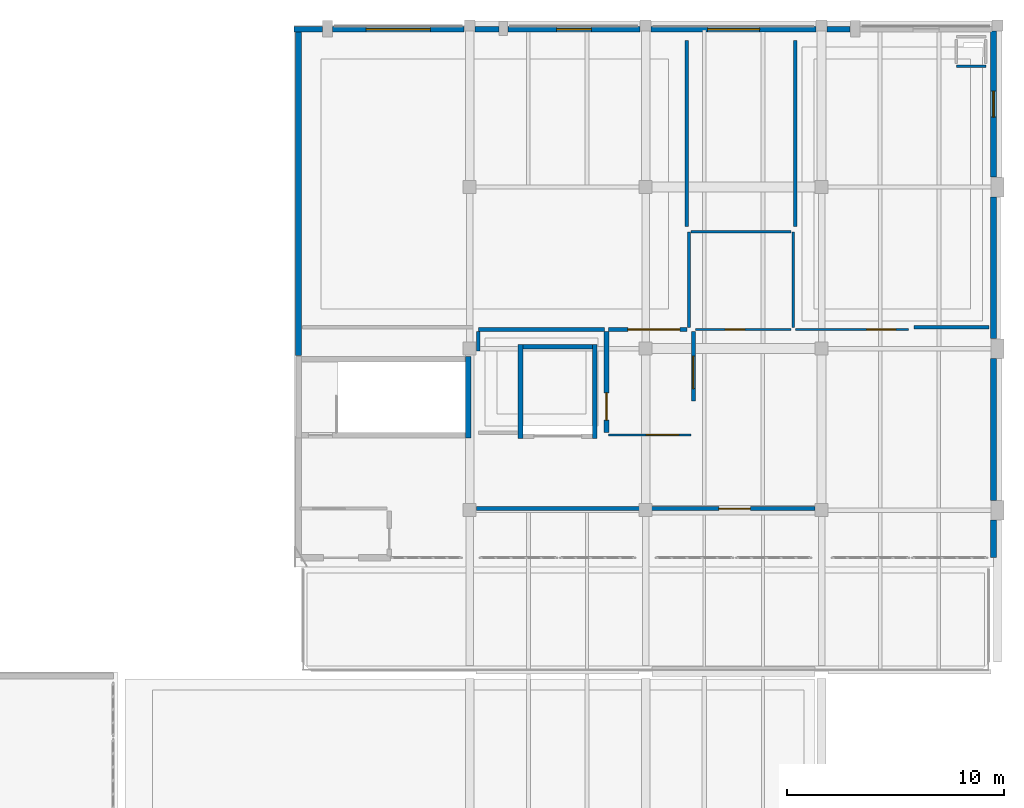
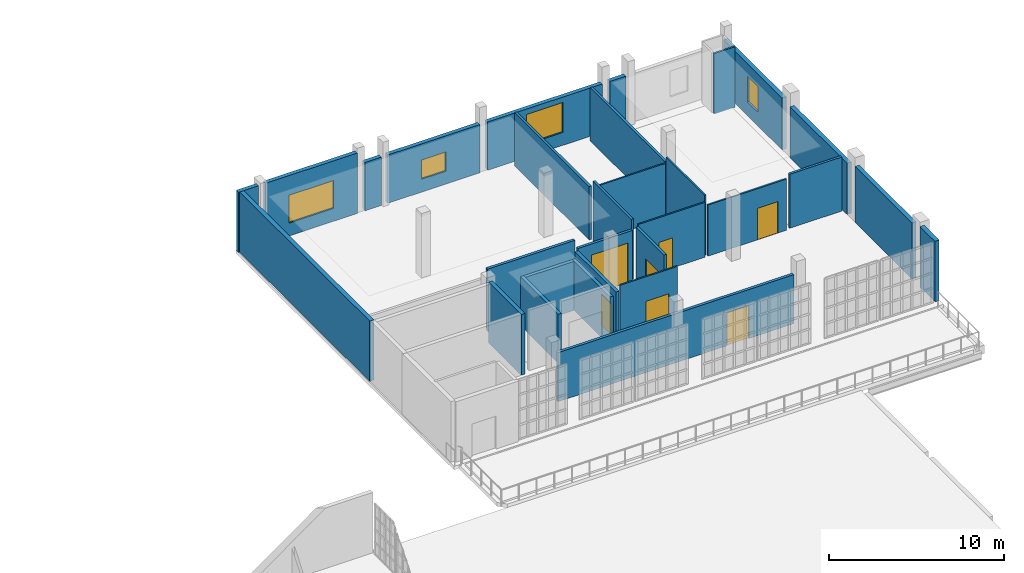
# One storey, part 49 of 56: 31 walls, 7 doors, 4 windows, 11 openings.
"""IFC4 building model written with IfcOpenShell, lengths in metres."""

from ifc_helpers import new_model, si_unit, direction, frame, frame_2d, origin, place, context, subcontext, project, spatial, rectangle, extrude, material, layer, layer_set, type_object, element, fill, save


model = new_model("IFC4")

# Units and contexts
model_context = context("Model", 3, precision=1e-05, world=origin(), true_north=direction((0.0, 1.0)))
body_context = subcontext(model_context, "Body", "Model", "MODEL_VIEW")
ifc_project = project(units=[si_unit("LENGTHUNIT", "METRE"), si_unit("AREAUNIT", "SQUARE_METRE"), si_unit("VOLUMEUNIT", "CUBIC_METRE"), si_unit("PLANEANGLEUNIT", "RADIAN"), si_unit("MASSUNIT", "GRAM", prefix="KILO")], contexts=[model_context])

# Site, building, storey
site_placement = place(None, origin())
site = spatial("IfcSite", under=ifc_project, at=site_placement, CompositionType="ELEMENT")
building_placement = place(site_placement, origin())
building = spatial("IfcBuilding", under=site, at=building_placement, Name="Kaelora Sail Theatre", CompositionType="ELEMENT")
storey_placement = place(building_placement, frame((0.0, 0.0, 14.699951171875)))
storey = spatial("IfcBuildingStorey", under=building, at=storey_placement, Name="L03", CompositionType="ELEMENT", Elevation=14.699951171875)

# Wall
ifc_material_1 = material(Name="Concrete C40/50", Category="concrete")
ifc_layer_1 = layer(ifc_material_1, 0.25)
ifc_layer_set_1 = layer_set([ifc_layer_1], Name="Concrete C40/50")
wall_type_1 = type_object("IfcWallType", Name="ARC-WL-CW-250", PredefinedType="SHEAR", material=ifc_layer_set_1)
wall_1_placement = place(storey_placement, frame((106.72509765625, 94.10009765625, 0.0), z_axis=(0.0, 0.0, 1.0), x_axis=(0.0, 1.0, 0.0)))
element("IfcWall", 1, at=wall_1_placement, inside=storey, type_object=wall_type_1, Name="Stair shaft ST-K4 wall L03-E", PredefinedType="SHEAR", context=body_context, shape_type="SweptSolid", body=[
    extrude(rectangle(XDim=3.75, YDim=0.25, at=frame_2d((1.875, 0.0))), origin(), (0.0, 0.0, 1.0), 4.2451171875),
])

# Wall, opening, window
ifc_material_2 = material(Name="Precast concrete C45/55", Category="concrete")
ifc_layer_2 = layer(ifc_material_2, 0.260009765625)
ifc_layer_set_2 = layer_set([ifc_layer_2], Name="Precast concrete C45/55")
wall_type_2 = type_object("IfcWallType", Name="ARC-WL-EW-260", PredefinedType="SOLIDWALL", material=ifc_layer_set_2)
wall_2_placement = place(storey_placement, frame((100.47998046875, 112.919921875, 0.0), z_axis=(0.0, 0.0, 1.0), x_axis=(1.0, 0.0, 0.0)))
wall_2 = element("IfcWall", 2, at=wall_2_placement, inside=storey, type_object=wall_type_2, Name="North Conservatory/Production Facade Wall L03 B13", PredefinedType="SOLIDWALL", context=body_context, shape_type="SweptSolid", body=[
    extrude(rectangle(XDim=6.06494140625, YDim=0.260009765625, at=frame_2d((3.032470703125, 0.0))), origin(), (0.0, 0.0, 1.0), 4.22509765625),
])
opening_1_placement = place(wall_2_placement, frame((1.556884765625, 0.0, 0.89990234375)))
opening_1 = element("IfcOpeningElement", 3, at=opening_1_placement, cuts=wall_2, Name="Opening W-26", PredefinedType="OPENING", context=body_context, shape_type="SweptSolid", body=[
    extrude(rectangle(XDim=2.949951171875, YDim=1.949951171875, at=frame_2d((1.47509765625, 0.97509765625))), frame((0.0, 0.139883, 0.0), z_axis=(0.0, -1.0, 0.0), x_axis=(1.0, 0.0, 0.0)), (0.0, 0.0, 1.0), 0.28001),
])
ifc_material_3 = material(Name="Thermally broken aluminium and low-E double glazing", Category="aluminium")
window_type_1 = type_object("IfcWindowType", Name="ARC-WIN-W-26", PartitioningType="SINGLE_PANEL", PredefinedType="WINDOW", material=ifc_material_3)
window_1_placement = place(opening_1_placement, origin())
window_1 = element("IfcWindow", 4, at=window_1_placement, inside=storey, type_object=window_type_1, Name="North facade window L03 B13", OverallHeight=1.949951171875, OverallWidth=2.949951171875, PartitioningType="SINGLE_PANEL", PredefinedType="WINDOW", context=body_context, shape_type="SweptSolid", body=[
    extrude(rectangle(XDim=2.949951171875, YDim=1.949951171875, at=frame_2d((1.47509765625, 0.97509765625))), frame((0.0, 0.030029296875, 0.0), z_axis=(0.0, -1.0, 0.0), x_axis=(1.0, 0.0, 0.0)), (0.0, 0.0, 1.0), 0.06005859375),
])
fill(opening_1, window_1)

# Wall
wall_3_placement = place(storey_placement, frame((98.699951171875, 112.919921875, 0.0), z_axis=(0.0, 0.0, 1.0), x_axis=(1.0, 0.0, 0.0)))
element("IfcWall", 5, at=wall_3_placement, inside=storey, type_object=wall_type_2, Name="North Facade Pilaster Spandrel Pier L03 B13", PredefinedType="SOLIDWALL", context=body_context, shape_type="SweptSolid", body=[
    extrude(rectangle(XDim=1.320068359375, YDim=0.260009765625, at=frame_2d((0.66015625, 0.0))), origin(), (0.0, 0.0, 1.0), 4.22509765625),
])

# Wall, opening, window
wall_4_placement = place(storey_placement, frame((108.554931640625, 112.919921875, 0.0), z_axis=(0.0, 0.0, 1.0), x_axis=(1.0, 0.0, 0.0)))
wall_4 = element("IfcWall", 6, at=wall_4_placement, inside=storey, type_object=wall_type_2, Name="North Conservatory/Production Facade Wall L03 B14", PredefinedType="SOLIDWALL", context=body_context, shape_type="SweptSolid", body=[
    extrude(rectangle(XDim=6.090087890625, YDim=0.260009765625, at=frame_2d((3.044921875, 0.0))), origin(), (0.0, 0.0, 1.0), 3.376953125),
])
opening_2_placement = place(wall_4_placement, frame((2.2451171875, 0.0, 0.89990234375)))
opening_2 = element("IfcOpeningElement", 7, at=opening_2_placement, cuts=wall_4, Name="Opening W-29", PredefinedType="OPENING", context=body_context, shape_type="SweptSolid", body=[
    extrude(rectangle(XDim=1.60009765625, YDim=1.35009765625, at=frame_2d((0.800048828125, 0.675048828125))), frame((0.0, 0.139883, 0.0), z_axis=(0.0, -1.0, 0.0), x_axis=(1.0, 0.0, 0.0)), (0.0, 0.0, 1.0), 0.28001),
])
ifc_material_4 = material(Name="Thermally broken aluminium and low-E double glazing", Category="aluminium")
window_type_2 = type_object("IfcWindowType", Name="ARC-WIN-W-29", PartitioningType="SINGLE_PANEL", PredefinedType="WINDOW", material=ifc_material_4)
window_2_placement = place(opening_2_placement, origin())
window_2 = element("IfcWindow", 8, at=window_2_placement, inside=storey, type_object=window_type_2, Name="North facade window L03 B14", OverallHeight=1.35009765625, OverallWidth=1.60009765625, PartitioningType="SINGLE_PANEL", PredefinedType="WINDOW", context=body_context, shape_type="SweptSolid", body=[
    extrude(rectangle(XDim=1.60009765625, YDim=1.35009765625, at=frame_2d((0.800048828125, 0.675048828125))), frame((0.0, 0.030029296875, 0.0), z_axis=(0.0, -1.0, 0.0), x_axis=(1.0, 0.0, 0.0)), (0.0, 0.0, 1.0), 0.06005859375),
])
fill(opening_2, window_2)

# Wall
wall_5_placement = place(storey_placement, frame((107.054931640625, 112.919921875, 0.0), z_axis=(0.0, 0.0, 1.0), x_axis=(1.0, 0.0, 0.0)))
element("IfcWall", 9, at=wall_5_placement, inside=storey, type_object=wall_type_2, Name="North Facade Pilaster Spandrel Pier L03 B14", PredefinedType="SOLIDWALL", context=body_context, shape_type="SweptSolid", body=[
    extrude(rectangle(XDim=1.090087890625, YDim=0.260009765625, at=frame_2d((0.544921875, 0.0))), origin(), (0.0, 0.0, 1.0), 3.376953125),
])

# Wall, opening, window
wall_6_placement = place(storey_placement, frame((115.155029296875, 112.919921875, 0.0), z_axis=(0.0, 0.0, 1.0), x_axis=(1.0, 0.0, 0.0)))
wall_6 = element("IfcWall", 10, at=wall_6_placement, inside=storey, type_object=wall_type_2, Name="North Conservatory/Production Facade Wall L03 B15", PredefinedType="SOLIDWALL", context=body_context, shape_type="SweptSolid", body=[
    extrude(rectangle(XDim=7.590087890625, YDim=0.260009765625, at=frame_2d((3.794921875, 0.0))), origin(), (0.0, 0.0, 1.0), 3.376953125),
])
opening_3_placement = place(wall_6_placement, frame((2.594970703125, 0.0, 0.89990234375)))
opening_3 = element("IfcOpeningElement", 11, at=opening_3_placement, cuts=wall_6, Name="Opening W-02", PredefinedType="OPENING", context=body_context, shape_type="SweptSolid", body=[
    extrude(rectangle(XDim=2.39990234375, YDim=2.10009765625, at=frame_2d((1.199951171875, 1.050048828125))), frame((0.0, 0.139883, 0.0), z_axis=(0.0, -1.0, 0.0), x_axis=(1.0, 0.0, 0.0)), (0.0, 0.0, 1.0), 0.28001),
])
ifc_material_5 = material(Name="Thermally broken aluminium and low-E double glazing", Category="aluminium")
window_type_3 = type_object("IfcWindowType", Name="ARC-WIN-W-02", PartitioningType="SINGLE_PANEL", PredefinedType="WINDOW", material=ifc_material_5)
window_3_placement = place(opening_3_placement, origin())
window_3 = element("IfcWindow", 12, at=window_3_placement, inside=storey, type_object=window_type_3, Name="North facade window L03 B15", OverallHeight=2.10009765625, OverallWidth=2.39990234375, PartitioningType="SINGLE_PANEL", PredefinedType="WINDOW", context=body_context, shape_type="SweptSolid", body=[
    extrude(rectangle(XDim=2.39990234375, YDim=2.10009765625, at=frame_2d((1.199951171875, 1.050048828125))), frame((0.0, 0.030029296875, 0.0), z_axis=(0.0, -1.0, 0.0), x_axis=(1.0, 0.0, 0.0)), (0.0, 0.0, 1.0), 0.06005859375),
])
fill(opening_3, window_3)

# Walls
wall_7_placement = place(storey_placement, frame((123.2548828125, 112.919921875, 0.0), z_axis=(0.0, 0.0, 1.0), x_axis=(1.0, 0.0, 0.0)))
element("IfcWall", 13, at=wall_7_placement, inside=storey, type_object=wall_type_2, Name="North Facade Pilaster Spandrel Pier L03 B16", PredefinedType="SOLIDWALL", context=body_context, shape_type="SweptSolid", body=[
    extrude(rectangle(XDim=1.065185546875, YDim=0.260009765625, at=frame_2d((0.53271484375, 0.0))), origin(), (0.0, 0.0, 1.0), 3.376953125),
])
ifc_material_6 = material(Name="Precast concrete C45/55", Category="concrete")
ifc_layer_3 = layer(ifc_material_6, 0.280029296875)
ifc_layer_set_3 = layer_set([ifc_layer_3], Name="Precast concrete C45/55")
wall_type_3 = type_object("IfcWallType", Name="ARC-WL-EW-280", PredefinedType="SOLIDWALL", material=ifc_layer_set_3)
wall_8_placement = place(storey_placement, frame((98.909912109375, 97.89990234375, 0.0), z_axis=(0.0, 0.0, 1.0), x_axis=(0.0, 1.0, 0.0)))
element("IfcWall", 14, at=wall_8_placement, inside=storey, type_object=wall_type_3, Name="Stepped Wing Facade Wall STEP-NW4-WN-L03", PredefinedType="SOLIDWALL", context=body_context, shape_type="SweptSolid", body=[
    extrude(rectangle(XDim=15.050048828125, YDim=0.280029296875, at=frame_2d((7.52490234375, 0.0))), origin(), (0.0, 0.0, 1.0), 4.22509765625),
])
wall_9_placement = place(storey_placement, frame((130.919921875, 88.60009765625, 0.0), z_axis=(0.0, 0.0, 1.0), x_axis=(0.0, 1.0, 0.0)))
element("IfcWall", 15, at=wall_9_placement, inside=storey, type_object=wall_type_3, Name="Stepped Wing Facade Wall STEP-NW4-E-L03-S1", PredefinedType="SOLIDWALL", context=body_context, shape_type="SweptSolid", body=[
    extrude(rectangle(XDim=1.724853515625, YDim=0.280029296875, at=frame_2d((0.8623046875, 0.0))), origin(), (0.0, 0.0, 1.0), 4.22509765625),
])
wall_10_placement = place(storey_placement, frame((130.919921875, 91.235107421875, 0.0), z_axis=(0.0, 0.0, 1.0), x_axis=(0.0, 1.0, 0.0)))
element("IfcWall", 16, at=wall_10_placement, inside=storey, type_object=wall_type_3, Name="Stepped Wing Facade Wall STEP-NW4-E-L03-S2", PredefinedType="SOLIDWALL", context=body_context, shape_type="SweptSolid", body=[
    extrude(rectangle(XDim=6.52978515625, YDim=0.280029296875, at=frame_2d((3.264892578125, 0.0))), origin(), (0.0, 0.0, 1.0), 3.9169921875),
])
wall_11_placement = place(storey_placement, frame((130.919921875, 98.675048828125, 0.0), z_axis=(0.0, 0.0, 1.0), x_axis=(0.0, 1.0, 0.0)))
element("IfcWall", 17, at=wall_11_placement, inside=storey, type_object=wall_type_3, Name="Stepped Wing Facade Wall STEP-NW4-E-L03-S3", PredefinedType="SOLIDWALL", context=body_context, shape_type="SweptSolid", body=[
    extrude(rectangle(XDim=6.530029296875, YDim=0.280029296875, at=frame_2d((3.26513671875, 0.0))), origin(), (0.0, 0.0, 1.0), 3.5771484375),
])

# Wall, opening, window
wall_12_placement = place(storey_placement, frame((130.919921875, 106.114990234375, 0.0), z_axis=(0.0, 0.0, 1.0), x_axis=(0.0, 1.0, 0.0)))
wall_12 = element("IfcWall", 18, at=wall_12_placement, inside=storey, type_object=wall_type_3, Name="Stepped Wing Facade Wall STEP-NW4-E-L03-S4", PredefinedType="SOLIDWALL", context=body_context, shape_type="SweptSolid", body=[
    extrude(rectangle(XDim=6.72998046875, YDim=0.280029296875, at=frame_2d((3.364990234375, 0.0))), origin(), (0.0, 0.0, 1.0), 3.626953125),
])
opening_4_placement = place(wall_12_placement, frame((2.764892578125, 0.0, 0.949951171875)))
opening_4 = element("IfcOpeningElement", 19, at=opening_4_placement, cuts=wall_12, Name="Opening W-05", PredefinedType="OPENING", context=body_context, shape_type="SweptSolid", body=[
    extrude(rectangle(XDim=1.199951171875, YDim=1.800048828125, at=frame_2d((0.60009765625, 0.89990234375))), frame((0.0, 0.150137, 0.0), z_axis=(0.0, -1.0, 0.0), x_axis=(1.0, 0.0, 0.0)), (0.0, 0.0, 1.0), 0.300029),
])
ifc_material_7 = material(Name="Thermally broken aluminium and low-E double glazing", Category="aluminium")
window_type_4 = type_object("IfcWindowType", Name="ARC-WIN-W-05", PartitioningType="SINGLE_PANEL", PredefinedType="WINDOW", material=ifc_material_7)
window_4_placement = place(opening_4_placement, origin())
window_4 = element("IfcWindow", 20, at=window_4_placement, inside=storey, type_object=window_type_4, Name="Stepped Wing Window STEP-NW4-E-L03-S4", OverallHeight=1.800048828125, OverallWidth=1.199951171875, PartitioningType="SINGLE_PANEL", PredefinedType="WINDOW", context=body_context, shape_type="SweptSolid", body=[
    extrude(rectangle(XDim=1.199951171875, YDim=1.800048828125, at=frame_2d((0.60009765625, 0.89990234375))), frame((0.0, 0.030029296875, 0.0), z_axis=(0.0, -1.0, 0.0), x_axis=(1.0, 0.0, 0.0)), (0.0, 0.0, 1.0), 0.06005859375),
])
fill(opening_4, window_4)

# Wall
ifc_material_8 = material(Name="Demountable acoustic studio wall 150 mm", Category="timber")
ifc_layer_4 = layer(ifc_material_8, 0.14990234375)
ifc_layer_set_4 = layer_set([ifc_layer_4], Name="Demountable acoustic studio wall 150 mm")
wall_type_4 = type_object("IfcWallType", Name="ARC-WL-MV-150", PredefinedType="MOVABLE", material=ifc_layer_set_4)
wall_13_placement = place(storey_placement, frame((116.89990234375, 99.199951171875, 0.0), z_axis=(0.0, 0.0, 1.0), x_axis=(0.0, 1.0, 0.0)))
element("IfcWall", 21, at=wall_13_placement, inside=storey, type_object=wall_type_4, Name="Interior acoustic partition L03-LIBRARY/L03-WC-NW4ACC", PredefinedType="MOVABLE", context=body_context, shape_type="SweptSolid", body=[
    extrude(rectangle(XDim=4.400146484375, YDim=0.14990234375, at=frame_2d((2.2001953125, 0.0))), origin(), (0.0, 0.0, 1.0), 4.22509765625),
])

# Wall, opening, door
ifc_material_9 = material(Name="Sanitary moisture-resistant partition 100 mm", Category="gypsum")
ifc_layer_5 = layer(ifc_material_9, 0.10009765625)
ifc_layer_set_5 = layer_set([ifc_layer_5], Name="Sanitary moisture-resistant partition 100 mm")
wall_type_5 = type_object("IfcWallType", Name="ARC-WL-PT-100", PredefinedType="PARTITIONING", material=ifc_layer_set_5)
wall_14_placement = place(storey_placement, frame((113.199951171875, 94.25, 0.0), z_axis=(0.0, 0.0, 1.0), x_axis=(1.0, 0.0, 0.0)))
wall_14 = element("IfcWall", 22, at=wall_14_placement, inside=storey, type_object=wall_type_5, Name="Interior acoustic partition L03-COR-NW4/L03-COR-SP4", PredefinedType="PARTITIONING", context=body_context, shape_type="SweptSolid", body=[
    extrude(rectangle(XDim=3.800048828125, YDim=0.10009765625, at=frame_2d((1.89990234375, 0.0))), origin(), (0.0, 0.0, 1.0), 3.9169921875),
])
opening_5_placement = place(wall_14_placement, frame((1.719970703125, 0.0, 0.0)))
opening_5 = element("IfcOpeningElement", 23, at=opening_5_placement, cuts=wall_14, Name="Opening FD-01", PredefinedType="OPENING", context=body_context, shape_type="SweptSolid", body=[
    extrude(rectangle(XDim=1.5, YDim=2.199951171875, at=frame_2d((0.75, 1.10009765625))), frame((0.0, 0.060049, 0.0), z_axis=(0.0, -1.0, 0.0), x_axis=(1.0, 0.0, 0.0)), (0.0, 0.0, 1.0), 0.120098),
])
ifc_material_10 = material(Name="Acoustic steel double fire door EI 90-C", Category="steel")
door_type_1 = type_object("IfcDoorType", Name="ARC-DR-FD-01", OperationType="NOTDEFINED", PredefinedType="DOOR", material=ifc_material_10)
door_1_placement = place(opening_5_placement, origin())
door_1 = element("IfcDoor", 24, at=door_1_placement, inside=storey, type_object=door_type_1, Name="Interior door L03-COR-NW4 to L03-COR-SP4", OperationType="DOUBLE_DOOR_SINGLE_SWING", OverallHeight=2.199951171875, OverallWidth=1.5, PredefinedType="DOOR", context=body_context, shape_type="SweptSolid", body=[
    extrude(rectangle(XDim=1.5, YDim=2.199951171875, at=frame_2d((0.75, 1.10009765625))), frame((0.0, 0.02490234375, 0.0), z_axis=(0.0, -1.0, 0.0), x_axis=(1.0, 0.0, 0.0)), (0.0, 0.0, 1.0), 0.050048828125),
])
fill(opening_5, door_1)

wall_15_placement = place(storey_placement, frame((117.199951171875, 99.10009765625, 0.0), z_axis=(0.0, 0.0, 1.0), x_axis=(1.0, 0.0, 0.0)))
wall_15 = element("IfcWall", 25, at=wall_15_placement, inside=storey, type_object=wall_type_5, Name="Interior acoustic partition L03-COR-SP4E/L03-WC-NW4ACC", PredefinedType="PARTITIONING", context=body_context, shape_type="SweptSolid", body=[
    extrude(rectangle(XDim=4.400146484375, YDim=0.10009765625, at=frame_2d((2.2001953125, 0.0))), origin(), (0.0, 0.0, 1.0), 3.8271484375),
])
opening_6_placement = place(wall_15_placement, frame((1.360107421875, 0.0, 0.0)))
opening_6 = element("IfcOpeningElement", 26, at=opening_6_placement, cuts=wall_15, Name="Opening ID-03", PredefinedType="OPENING", context=body_context, shape_type="SweptSolid", body=[
    extrude(rectangle(XDim=0.89990234375, YDim=2.10009765625, at=frame_2d((0.449951171875, 1.050048828125))), frame((0.0, 0.060049, 0.0), z_axis=(0.0, -1.0, 0.0), x_axis=(1.0, 0.0, 0.0)), (0.0, 0.0, 1.0), 0.120098),
])
ifc_material_11 = material(Name="Accessible sanitary laminate door", Category="timber")
door_type_2 = type_object("IfcDoorType", Name="ARC-DR-ID-03", OperationType="NOTDEFINED", PredefinedType="DOOR", material=ifc_material_11)
door_2_placement = place(opening_6_placement, origin())
door_2 = element("IfcDoor", 27, at=door_2_placement, inside=storey, type_object=door_type_2, Name="Interior door L03-COR-SP4E to L03-WC-NW4ACC", OperationType="SINGLE_SWING_RIGHT", OverallHeight=2.10009765625, OverallWidth=0.89990234375, PredefinedType="DOOR", context=body_context, shape_type="SweptSolid", body=[
    extrude(rectangle(XDim=0.89990234375, YDim=2.10009765625, at=frame_2d((0.449951171875, 1.050048828125))), frame((0.0, 0.02490234375, 0.0), z_axis=(0.0, -1.0, 0.0), x_axis=(1.0, 0.0, 0.0)), (0.0, 0.0, 1.0), 0.050048828125),
])
fill(opening_6, door_2)

# Walls
wall_16_placement = place(storey_placement, frame((121.699951171875, 99.199951171875, 0.0), z_axis=(0.0, 0.0, 1.0), x_axis=(0.0, 1.0, 0.0)))
element("IfcWall", 28, at=wall_16_placement, inside=storey, type_object=wall_type_5, Name="Interior acoustic partition L03-WC-NW4ACC/L03-PHYSIO", PredefinedType="PARTITIONING", context=body_context, shape_type="SweptSolid", body=[
    extrude(rectangle(XDim=4.400146484375, YDim=0.10009765625, at=frame_2d((2.2001953125, 0.0))), origin(), (0.0, 0.0, 1.0), 4.22509765625),
])
wall_17_placement = place(storey_placement, frame((117.0, 103.60009765625, 0.0), z_axis=(0.0, 0.0, 1.0), x_axis=(1.0, 0.0, 0.0)))
element("IfcWall", 29, at=wall_17_placement, inside=storey, type_object=wall_type_5, Name="Room enclosure wall L03-WC-NW4ACC-N1", PredefinedType="PARTITIONING", context=body_context, shape_type="SweptSolid", body=[
    extrude(rectangle(XDim=4.60009765625, YDim=0.10009765625, at=frame_2d((2.300048828125, 0.0))), origin(), (0.0, 0.0, 1.0), 3.8271484375),
])

# Wall, opening, door
ifc_material_12 = material(Name="Office acoustic stud partition 110 mm", Category="gypsum")
ifc_layer_6 = layer(ifc_material_12, 0.110107421875)
ifc_layer_set_6 = layer_set([ifc_layer_6], Name="Office acoustic stud partition 110 mm")
wall_type_6 = type_object("IfcWallType", Name="ARC-WL-PT-110", PredefinedType="PARTITIONING", material=ifc_layer_set_6)
wall_18_placement = place(storey_placement, frame((121.800048828125, 99.10009765625, 0.0), z_axis=(0.0, 0.0, 1.0), x_axis=(1.0, 0.0, 0.0)))
wall_18 = element("IfcWall", 30, at=wall_18_placement, inside=storey, type_object=wall_type_6, Name="Interior acoustic partition L03-COR-SP4E/L03-PHYSIO", PredefinedType="PARTITIONING", context=body_context, shape_type="SweptSolid", body=[
    extrude(rectangle(XDim=5.199951171875, YDim=0.110107421875, at=frame_2d((2.60009765625, 0.0))), origin(), (0.0, 0.0, 1.0), 3.5771484375),
])
opening_7_placement = place(wall_18_placement, frame((3.27001953125, 0.0, 0.0)))
opening_7 = element("IfcOpeningElement", 31, at=opening_7_placement, cuts=wall_18, Name="Opening ID-08", PredefinedType="OPENING", context=body_context, shape_type="SweptSolid", body=[
    extrude(rectangle(XDim=1.35009765625, YDim=2.199951171875, at=frame_2d((0.675048828125, 1.10009765625))), frame((0.0, 0.065176, 0.0), z_axis=(0.0, -1.0, 0.0), x_axis=(1.0, 0.0, 0.0)), (0.0, 0.0, 1.0), 0.130107),
])
ifc_material_13 = material(Name="Instrument & libretto leaf-and-a-half door", Category="steel")
door_type_3 = type_object("IfcDoorType", Name="ARC-DR-ID-08", OperationType="NOTDEFINED", PredefinedType="DOOR", material=ifc_material_13)
door_3_placement = place(opening_7_placement, origin())
door_3 = element("IfcDoor", 32, at=door_3_placement, inside=storey, type_object=door_type_3, Name="Interior door L03-COR-SP4E to L03-PHYSIO", OperationType="SINGLE_SWING_RIGHT", OverallHeight=2.199951171875, OverallWidth=1.35009765625, PredefinedType="DOOR", context=body_context, shape_type="SweptSolid", body=[
    extrude(rectangle(XDim=1.35009765625, YDim=2.199951171875, at=frame_2d((0.675048828125, 1.10009765625))), frame((0.0, 0.02490234375, 0.0), z_axis=(0.0, -1.0, 0.0), x_axis=(1.0, 0.0, 0.0)), (0.0, 0.0, 1.0), 0.050048828125),
])
fill(opening_7, door_3)

# Walls
ifc_material_14 = material(Name="Standard metal-stud partition 120 mm", Category="gypsum")
ifc_layer_7 = layer(ifc_material_14, 0.1201171875)
ifc_layer_set_7 = layer_set([ifc_layer_7], Name="Standard metal-stud partition 120 mm")
wall_type_7 = type_object("IfcWallType", Name="ARC-WL-PT-120", PredefinedType="PARTITIONING", material=ifc_layer_set_7)
wall_19_placement = place(storey_placement, frame((129.205078125, 111.219970703125, 0.0), z_axis=(0.0, 0.0, 1.0), x_axis=(1.0, 0.0, 0.0)))
element("IfcWall", 33, at=wall_19_placement, inside=storey, type_object=wall_type_7, Name="MEP riser shaft wall NW4-L03-S", PredefinedType="PARTITIONING", context=body_context, shape_type="SweptSolid", body=[
    extrude(rectangle(XDim=1.35986328125, YDim=0.1201171875, at=frame_2d((0.679931640625, 0.0))), origin(), (0.0, 0.0, 1.0), 4.22509765625),
])
ifc_material_15 = material(Name="Acoustic metal-stud plasterboard 160 mm", Category="gypsum")
ifc_layer_8 = layer(ifc_material_15, 0.159912109375)
ifc_layer_set_8 = layer_set([ifc_layer_8], Name="Acoustic metal-stud plasterboard 160 mm")
wall_type_8 = type_object("IfcWallType", Name="ARC-WL-PT-160", PredefinedType="PARTITIONING", material=ifc_layer_set_8)
wall_20_placement = place(storey_placement, frame((107.199951171875, 98.10009765625, 0.0), z_axis=(0.0, 0.0, 1.0), x_axis=(0.0, 1.0, 0.0)))
element("IfcWall", 34, at=wall_20_placement, inside=storey, type_object=wall_type_8, Name="Room enclosure wall L03-ARCHIVE-RD-W1", PredefinedType="PARTITIONING", context=body_context, shape_type="SweptSolid", body=[
    extrude(rectangle(XDim=0.89990234375, YDim=0.159912109375, at=frame_2d((0.449951171875, 0.0))), origin(), (0.0, 0.0, 1.0), 3.427001953125),
])
wall_21_placement = place(storey_placement, frame((116.800048828125, 103.85009765625, 0.0), z_axis=(0.0, 0.0, 1.0), x_axis=(0.0, 1.0, 0.0)))
element("IfcWall", 35, at=wall_21_placement, inside=storey, type_object=wall_type_8, Name="Room enclosure wall L03-LIBRARY-E1", PredefinedType="PARTITIONING", context=body_context, shape_type="SweptSolid", body=[
    extrude(rectangle(XDim=8.5498046875, YDim=0.159912109375, at=frame_2d((4.27490234375, 0.0))), origin(), (0.0, 0.0, 1.0), 3.72705078125),
])
wall_22_placement = place(storey_placement, frame((127.25, 99.199951171875, 0.0), z_axis=(0.0, 0.0, 1.0), x_axis=(1.0, 0.0, 0.0)))
element("IfcWall", 36, at=wall_22_placement, inside=storey, type_object=wall_type_8, Name="Room enclosure wall L03-PHYSIO-S1", PredefinedType="PARTITIONING", context=body_context, shape_type="SweptSolid", body=[
    extrude(rectangle(XDim=3.449951171875, YDim=0.159912109375, at=frame_2d((1.72509765625, 0.0))), origin(), (0.0, 0.0, 1.0), 3.777099609375),
])
wall_23_placement = place(storey_placement, frame((121.800048828125, 103.85009765625, 0.0), z_axis=(0.0, 0.0, 1.0), x_axis=(0.0, 1.0, 0.0)))
element("IfcWall", 37, at=wall_23_placement, inside=storey, type_object=wall_type_8, Name="Room enclosure wall L03-PHYSIO-W1", PredefinedType="PARTITIONING", context=body_context, shape_type="SweptSolid", body=[
    extrude(rectangle(XDim=8.5498046875, YDim=0.159912109375, at=frame_2d((4.27490234375, 0.0))), origin(), (0.0, 0.0, 1.0), 3.72705078125),
])

# Wall, opening, door
ifc_material_16 = material(Name="Workshop acoustic stud partition 170 mm", Category="gypsum")
ifc_layer_9 = layer(ifc_material_16, 0.169921875)
ifc_layer_set_9 = layer_set([ifc_layer_9], Name="Workshop acoustic stud partition 170 mm")
wall_type_9 = type_object("IfcWallType", Name="ARC-WL-PT-170", PredefinedType="PARTITIONING", material=ifc_layer_set_9)
wall_24_placement = place(storey_placement, frame((113.199951171875, 99.10009765625, 0.0), z_axis=(0.0, 0.0, 1.0), x_axis=(1.0, 0.0, 0.0)))
wall_24 = element("IfcWall", 38, at=wall_24_placement, inside=storey, type_object=wall_type_9, Name="Interior acoustic partition L03-COR-SP4/L03-LIBRARY", PredefinedType="PARTITIONING", context=body_context, shape_type="SweptSolid", body=[
    extrude(rectangle(XDim=3.60009765625, YDim=0.169921875, at=frame_2d((1.800048828125, 0.0))), origin(), (0.0, 0.0, 1.0), 3.5771484375),
])
opening_8_placement = place(wall_24_placement, frame((0.8798828125, 0.0, 0.0)))
opening_8 = element("IfcOpeningElement", 39, at=opening_8_placement, cuts=wall_24, Name="Opening ID-05", PredefinedType="OPENING", context=body_context, shape_type="SweptSolid", body=[
    extrude(rectangle(XDim=2.39990234375, YDim=2.800048828125, at=frame_2d((1.199951171875, 1.39990234375))), frame((0.0, 0.094961, 0.0), z_axis=(0.0, -1.0, 0.0), x_axis=(1.0, 0.0, 0.0)), (0.0, 0.0, 1.0), 0.189922),
])
ifc_material_17 = material(Name="Scenery workshop oversize acoustic double door", Category="steel")
door_type_4 = type_object("IfcDoorType", Name="ARC-DR-ID-05", OperationType="NOTDEFINED", PredefinedType="DOOR", material=ifc_material_17)
door_4_placement = place(opening_8_placement, origin())
door_4 = element("IfcDoor", 40, at=door_4_placement, inside=storey, type_object=door_type_4, Name="Interior door L03-COR-SP4 to L03-LIBRARY", OperationType="DOUBLE_DOOR_SINGLE_SWING", OverallHeight=2.800048828125, OverallWidth=2.39990234375, PredefinedType="DOOR", context=body_context, shape_type="SweptSolid", body=[
    extrude(rectangle(XDim=2.39990234375, YDim=2.800048828125, at=frame_2d((1.199951171875, 1.39990234375))), frame((0.0, 0.02490234375, 0.0), z_axis=(0.0, -1.0, 0.0), x_axis=(1.0, 0.0, 0.0)), (0.0, 0.0, 1.0), 0.050048828125),
])
fill(opening_8, door_4)

ifc_material_18 = material(Name="Rehearsal double-stud partition 185 mm", Category="gypsum")
ifc_layer_10 = layer(ifc_material_18, 0.18505859375)
ifc_layer_set_10 = layer_set([ifc_layer_10], Name="Rehearsal double-stud partition 185 mm")
wall_type_10 = type_object("IfcWallType", Name="ARC-WL-PT-185", PredefinedType="PARTITIONING", material=ifc_layer_set_10)
wall_25_placement = place(storey_placement, frame((107.10498046875, 90.85009765625, 0.0), z_axis=(0.0, 0.0, 1.0), x_axis=(1.0, 0.0, 0.0)))
wall_25 = element("IfcWall", 41, at=wall_25_placement, inside=storey, type_object=wall_type_10, Name="Interior acoustic partition L03-DRAMA-TER/L03-COR-NW4", PredefinedType="PARTITIONING", context=body_context, shape_type="SweptSolid", body=[
    extrude(rectangle(XDim=15.590087890625, YDim=0.18505859375, at=frame_2d((7.794921875, 0.0))), origin(), (0.0, 0.0, 1.0), 3.427001953125),
])
opening_9_placement = place(wall_25_placement, frame((11.1640625, 0.0, 0.0)))
opening_9 = element("IfcOpeningElement", 42, at=opening_9_placement, cuts=wall_25, Name="Opening ID-12", PredefinedType="OPENING", context=body_context, shape_type="SweptSolid", body=[
    extrude(rectangle(XDim=1.449951171875, YDim=2.300048828125, at=frame_2d((0.72509765625, 1.14990234375))), frame((0.0, 0.102529, 0.0), z_axis=(0.0, -1.0, 0.0), x_axis=(1.0, 0.0, 0.0)), (0.0, 0.0, 1.0), 0.205059),
])
ifc_material_19 = material(Name="Orchestra warm-up acoustic double door", Category="steel")
door_type_5 = type_object("IfcDoorType", Name="ARC-DR-ID-12", OperationType="NOTDEFINED", PredefinedType="DOOR", material=ifc_material_19)
door_5_placement = place(opening_9_placement, origin())
door_5 = element("IfcDoor", 43, at=door_5_placement, inside=storey, type_object=door_type_5, Name="Interior door L03-DRAMA-TER to L03-COR-NW4", OperationType="DOUBLE_DOOR_SINGLE_SWING", OverallHeight=2.300048828125, OverallWidth=1.449951171875, PredefinedType="DOOR", context=body_context, shape_type="SweptSolid", body=[
    extrude(rectangle(XDim=1.449951171875, YDim=2.300048828125, at=frame_2d((0.72509765625, 1.14990234375))), frame((0.0, 0.02490234375, 0.0), z_axis=(0.0, -1.0, 0.0), x_axis=(1.0, 0.0, 0.0)), (0.0, 0.0, 1.0), 0.050048828125),
])
fill(opening_9, door_5)

# Wall
wall_26_placement = place(storey_placement, frame((107.199951171875, 99.10009765625, 0.0), z_axis=(0.0, 0.0, 1.0), x_axis=(1.0, 0.0, 0.0)))
element("IfcWall", 44, at=wall_26_placement, inside=storey, type_object=wall_type_10, Name="Interior acoustic partition L03-ARCHIVE-RD/L03-LIBRARY", PredefinedType="PARTITIONING", context=body_context, shape_type="SweptSolid", body=[
    extrude(rectangle(XDim=5.800048828125, YDim=0.18505859375, at=frame_2d((2.89990234375, 0.0))), origin(), (0.0, 0.0, 1.0), 4.22509765625),
])

# Wall, opening, door
wall_27_placement = place(storey_placement, frame((117.10009765625, 95.800048828125, 0.0), z_axis=(0.0, 0.0, 1.0), x_axis=(0.0, 1.0, 0.0)))
wall_27 = element("IfcWall", 45, at=wall_27_placement, inside=storey, type_object=wall_type_10, Name="Interior acoustic partition L03-COR-SP4/L03-COR-SP4E", PredefinedType="PARTITIONING", context=body_context, shape_type="SweptSolid", body=[
    extrude(rectangle(XDim=3.199951171875, YDim=0.18505859375, at=frame_2d((1.60009765625, 0.0))), origin(), (0.0, 0.0, 1.0), 3.72705078125),
])
opening_10_placement = place(wall_27_placement, frame((0.580078125, 0.0, 0.0)))
opening_10 = element("IfcOpeningElement", 46, at=opening_10_placement, cuts=wall_27, Name="Opening FD-01", PredefinedType="OPENING", context=body_context, shape_type="SweptSolid", body=[
    extrude(rectangle(XDim=1.5, YDim=2.199951171875, at=frame_2d((0.75, 1.10009765625))), frame((0.0, 0.102529, 0.0), z_axis=(0.0, -1.0, 0.0), x_axis=(1.0, 0.0, 0.0)), (0.0, 0.0, 1.0), 0.205059),
])
door_6_placement = place(opening_10_placement, origin())
door_6 = element("IfcDoor", 47, at=door_6_placement, inside=storey, type_object=door_type_1, Name="Interior door L03-COR-SP4 to L03-COR-SP4E", OperationType="DOUBLE_DOOR_SINGLE_SWING", OverallHeight=2.199951171875, OverallWidth=1.5, PredefinedType="DOOR", context=body_context, shape_type="SweptSolid", body=[
    extrude(rectangle(XDim=1.5, YDim=2.199951171875, at=frame_2d((0.75, 1.10009765625))), frame((0.0, 0.02490234375, 0.0), z_axis=(0.0, -1.0, 0.0), x_axis=(1.0, 0.0, 0.0)), (0.0, 0.0, 1.0), 0.050048828125),
])
fill(opening_10, door_6)

ifc_material_20 = material(Name="Studio box-in-box acoustic partition 215 mm", Category="gypsum")
ifc_layer_11 = layer(ifc_material_20, 0.215087890625)
ifc_layer_set_11 = layer_set([ifc_layer_11], Name="Studio box-in-box acoustic partition 215 mm")
wall_type_11 = type_object("IfcWallType", Name="ARC-WL-PT-215", PredefinedType="PARTITIONING", material=ifc_layer_set_11)
wall_28_placement = place(storey_placement, frame((113.10009765625, 94.35009765625, 0.0), z_axis=(0.0, 0.0, 1.0), x_axis=(0.0, 1.0, 0.0)))
wall_28 = element("IfcWall", 48, at=wall_28_placement, inside=storey, type_object=wall_type_11, Name="Interior acoustic partition L03-ARCHIVE-RD/L03-COR-SP4", PredefinedType="PARTITIONING", context=body_context, shape_type="SweptSolid", body=[
    extrude(rectangle(XDim=4.64990234375, YDim=0.215087890625, at=frame_2d((2.324951171875, 0.0))), origin(), (0.0, 0.0, 1.0), 3.427001953125),
])
opening_11_placement = place(wall_28_placement, frame((0.580078125, 0.0, 0.0)))
opening_11 = element("IfcOpeningElement", 49, at=opening_11_placement, cuts=wall_28, Name="Opening ID-11", PredefinedType="OPENING", context=body_context, shape_type="SweptSolid", body=[
    extrude(rectangle(XDim=1.25, YDim=2.14990234375, at=frame_2d((0.625, 1.074951171875))), frame((0.0, 0.117422, 0.0), z_axis=(0.0, -1.0, 0.0), x_axis=(1.0, 0.0, 0.0)), (0.0, 0.0, 1.0), 0.235088),
])
ifc_material_21 = material(Name="Plant & rack room steel single door", Category="steel")
door_type_6 = type_object("IfcDoorType", Name="ARC-DR-ID-11", OperationType="NOTDEFINED", PredefinedType="DOOR", material=ifc_material_21)
door_7_placement = place(opening_11_placement, origin())
door_7 = element("IfcDoor", 50, at=door_7_placement, inside=storey, type_object=door_type_6, Name="Interior door L03-ARCHIVE-RD to L03-COR-SP4", OperationType="SINGLE_SWING_LEFT", OverallHeight=2.14990234375, OverallWidth=1.25, PredefinedType="DOOR", context=body_context, shape_type="SweptSolid", body=[
    extrude(rectangle(XDim=1.25, YDim=2.14990234375, at=frame_2d((0.625, 1.074951171875))), frame((0.0, 0.02490234375, 0.0), z_axis=(0.0, -1.0, 0.0), x_axis=(1.0, 0.0, 0.0)), (0.0, 0.0, 1.0), 0.050048828125),
])
fill(opening_11, door_7)

# Walls
ifc_material_22 = material(Name="Concrete C40/50", Category="concrete")
ifc_layer_12 = layer(ifc_material_22, 0.219970703125)
ifc_layer_set_12 = layer_set([ifc_layer_12], Name="Concrete C40/50")
wall_type_12 = type_object("IfcWallType", Name="ARC-WL-SW-220", PredefinedType="SOLIDWALL", material=ifc_layer_set_12)
wall_29_placement = place(storey_placement, frame((109.25, 98.31005859375, 0.0), z_axis=(0.0, 0.0, 1.0), x_axis=(1.0, 0.0, 0.0)))
element("IfcWall", 51, at=wall_29_placement, inside=storey, type_object=wall_type_12, Name="Lift GL-01 shaft wall L03-N", PredefinedType="SOLIDWALL", context=body_context, shape_type="SweptSolid", body=[
    extrude(rectangle(XDim=3.199951171875, YDim=0.219970703125, at=frame_2d((1.60009765625, 0.0))), origin(), (0.0, 0.0, 1.0), 3.427001953125),
])
for number, where, z_axis, x_axis, name in (
    (52, (109.139892578125, 94.080078125, 0.0), (0.0, 0.0, 1.0), (0.0, 1.0, 0.0), "Lift GL-01 shaft wall L03-W"),
    (53, (112.56005859375, 94.080078125, 0.0), (0.0, 0.0, 1.0), (0.0, 1.0, 0.0), "Lift GL-01 shaft wall L03-E"),
):
    element("IfcWall", number, at=place(storey_placement, frame(where, z_axis=z_axis, x_axis=x_axis)), inside=storey, type_object=wall_type_12, Name=name, PredefinedType="SOLIDWALL", context=body_context, shape_type="SweptSolid", body=[
        extrude(rectangle(XDim=4.33984375, YDim=0.219970703125, at=frame_2d((2.169921875, 0.0))), origin(), (0.0, 0.0, 1.0), 3.427001953125),
    ])

save(model, "model.ifc")
